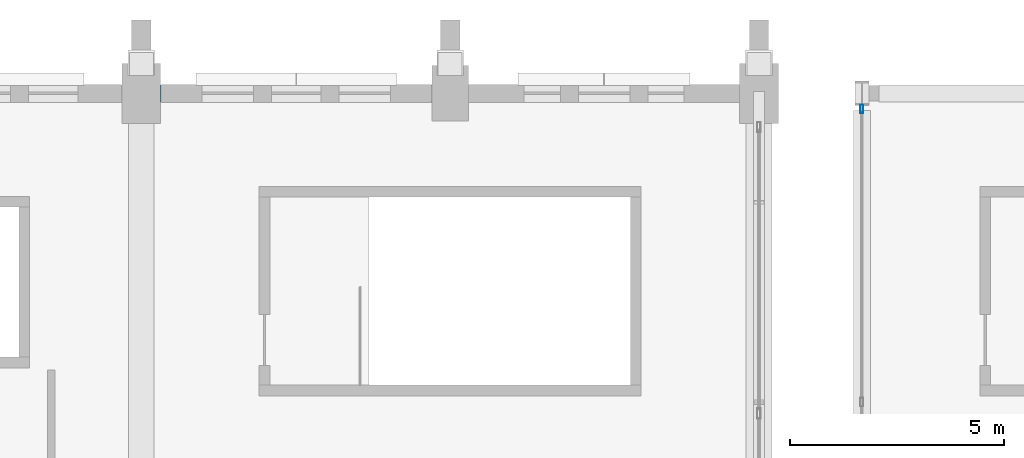
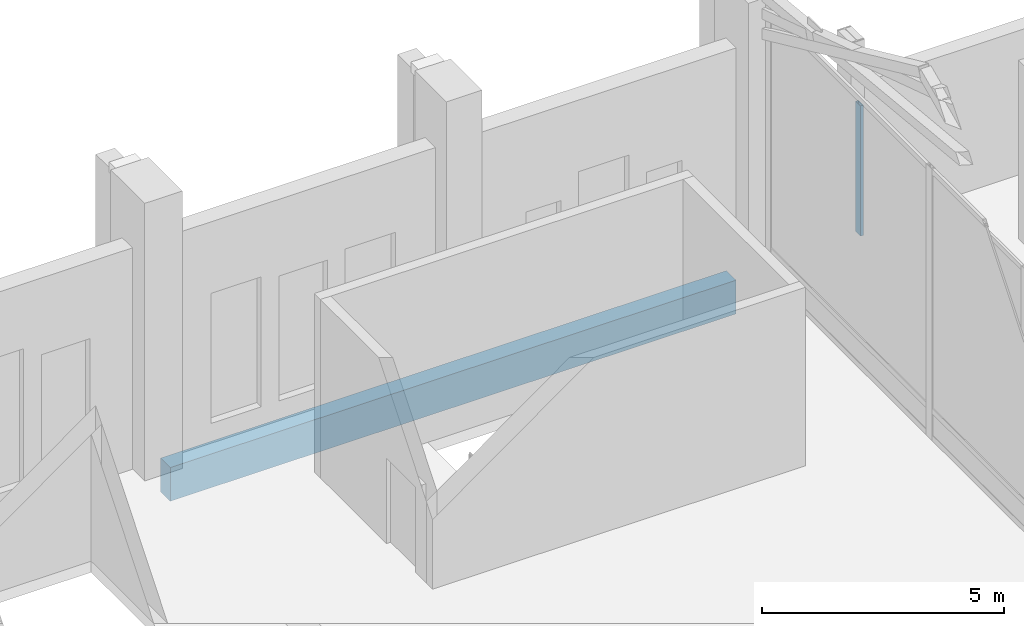
# One storey, part 121 of 220: 1 beam, 1 member, 1 element without a shape of its own.
"""IFC4 building model written with IfcOpenShell, lengths in metres."""

from ifc_helpers import new_model, si_unit, direction, frame, origin, origin_2d, place, context, subcontext, project, spatial, rectangle, hollow_rectangle, extrude, material, material_profile, profile_set, type_object, element, aggregate, save


model = new_model("IFC4")

# Units and contexts
model_context = context("Model", 3, precision=1e-05, world=origin(), true_north=direction((0.0, 1.0)))
body_context = subcontext(model_context, "Body", "Model", "MODEL_VIEW")
ifc_project = project(units=[si_unit("LENGTHUNIT", "METRE"), si_unit("AREAUNIT", "SQUARE_METRE"), si_unit("VOLUMEUNIT", "CUBIC_METRE"), si_unit("PLANEANGLEUNIT", "RADIAN"), si_unit("MASSUNIT", "GRAM", prefix="KILO")], contexts=[model_context])

# Site, building, storey
site_placement = place(None, origin())
site = spatial("IfcSite", under=ifc_project, at=site_placement, CompositionType="ELEMENT")
building_placement = place(site_placement, origin())
building = spatial("IfcBuilding", under=site, at=building_placement, Name="Cendralis Lancet Convention Centre", CompositionType="ELEMENT")
storey_placement = place(building_placement, frame((0.0, 0.0, 5.39990234375)))
storey = spatial("IfcBuildingStorey", under=building, at=storey_placement, Name="L01", CompositionType="ELEMENT", Elevation=5.39990234375)

# Curtain wall, member
ifc_material_1 = material(Name="Anodised bronze architectural aluminium", Category="aluminium")
curtain_wall_type = type_object("IfcCurtainWallType", Name="ARC-CW-BL01", PredefinedType="USERDEFINED", material=ifc_material_1)
curtain_wall_placement = place(storey_placement, origin())
curtain_wall = element("IfcCurtainWall", 1, at=curtain_wall_placement, inside=storey, type_object=curtain_wall_type, Name="L01 Curtain Wall CW-BL1 #151", ObjectType="CURTAIN WALL", PredefinedType="USERDEFINED")
ifc_material_profile_1 = material_profile(ifc_material_1, hollow_rectangle(XDim=0.070068359375, YDim=0.199951171875, WallThickness=0.0048828125, at=origin_2d()), Name="AL-MULL 70x200x5.0")
ifc_profile_set_1 = profile_set([ifc_material_profile_1], Name="Anodised bronze architectural aluminium")
member_type = type_object("IfcMemberType", Name="ARC-CW-ML02", PredefinedType="MULLION", material=ifc_profile_set_1)
member_placement = place(storey_placement, frame((124.800048828125, 136.43994140625, 0.0), z_axis=(0.0, 0.0, 1.0), x_axis=(1.0, 0.0, 0.0)))
member = element("IfcMember", 2, at=member_placement, type_object=member_type, Name="Mullion CW2-CW-BL1-L01-151-M2", PredefinedType="MULLION", context=body_context, shape_type="SweptSolid", body=[
    extrude(hollow_rectangle(XDim=0.070068359375, YDim=0.199951171875, WallThickness=0.0048828125, at=origin_2d()), origin(), (0.0, 0.0, 1.0), 3.28515625),
])
aggregate(curtain_wall, [member])

# Beam
ifc_material_2 = material(Name="Concrete G40 (C40/50)", Category="concrete")
ifc_material_profile_2 = material_profile(ifc_material_2, rectangle(XDim=0.39990234375, YDim=0.85009765625, at=origin_2d()), Name="RCB 400x850")
ifc_profile_set_2 = profile_set([ifc_material_profile_2], Name="Concrete G40 (C40/50)")
beam_type = type_object("IfcBeamType", Name="STR-SP-SP02", PredefinedType="SPANDREL", material=ifc_profile_set_2)
beam_placement = place(storey_placement, frame((108.449951171875, 136.800048828125, -0.704833984375), z_axis=(1.0, 0.0, 0.0), x_axis=(0.0, 1.0, 0.0)))
element("IfcBeam", 3, at=beam_placement, inside=storey, type_object=beam_type, Name="L01 Beam SP02 #1254", PredefinedType="SPANDREL", context=body_context, shape_type="SweptSolid", body=[
    extrude(rectangle(XDim=0.39990234375, YDim=0.85009765625, at=origin_2d()), origin(), (0.0, 0.0, 1.0), 13.5),
])

save(model, "model.ifc")
